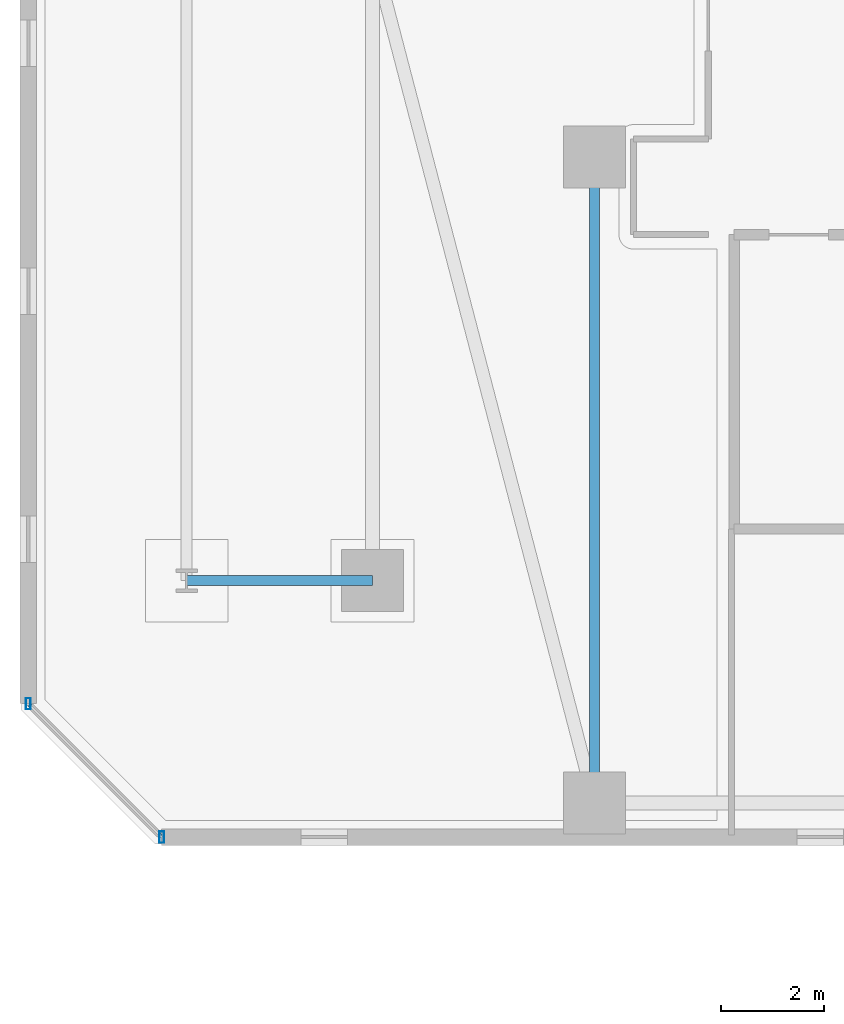
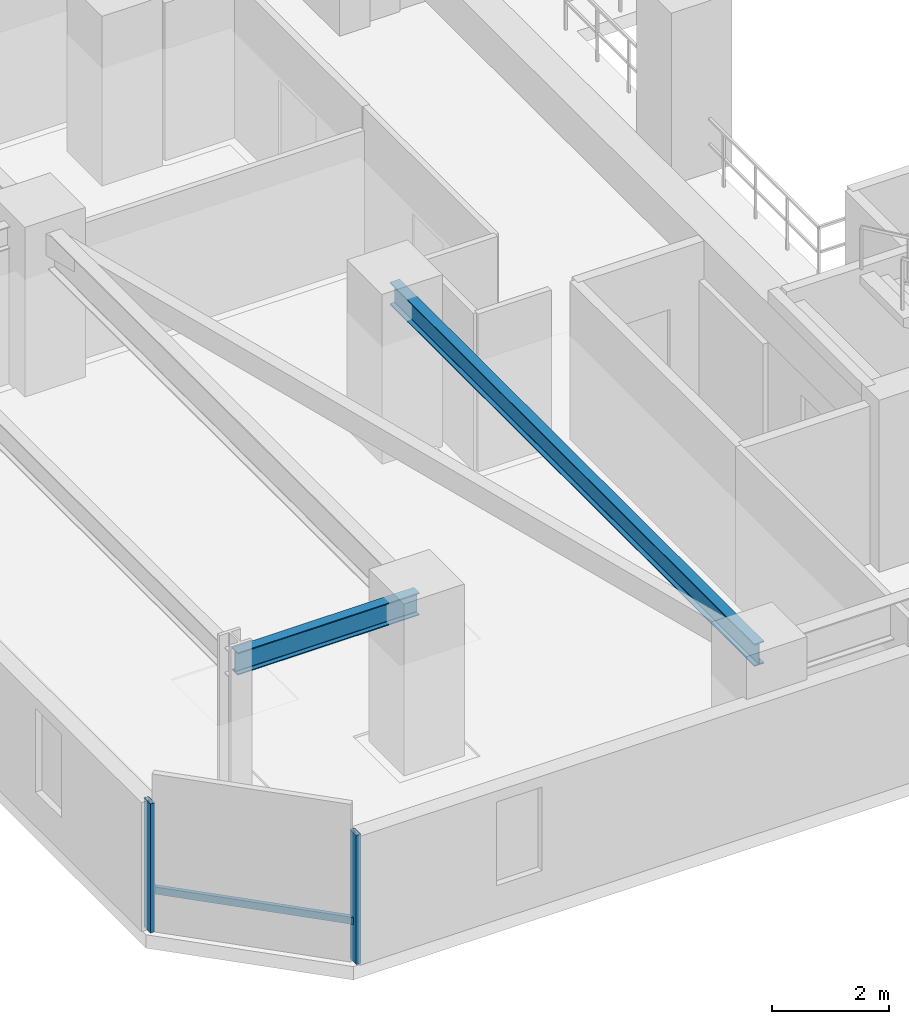
# One storey, part 3 of 33: 3 members, 2 beams, 1 element without a shape of its own.
"""IFC4 building model written with IfcOpenShell, lengths in metres."""

from ifc_helpers import new_model, si_unit, direction, frame, origin, origin_2d, place, context, subcontext, project, spatial, hollow_rectangle, i_section, extrude, material, material_profile, profile_set, type_object, element, aggregate, save


model = new_model("IFC4")

# Units and contexts
model_context = context("Model", 3, precision=1e-05, world=origin(), true_north=direction((0.0, 1.0)))
body_context = subcontext(model_context, "Body", "Model", "MODEL_VIEW")
ifc_project = project(units=[si_unit("LENGTHUNIT", "METRE"), si_unit("AREAUNIT", "SQUARE_METRE"), si_unit("VOLUMEUNIT", "CUBIC_METRE"), si_unit("PLANEANGLEUNIT", "RADIAN"), si_unit("MASSUNIT", "GRAM", prefix="KILO")], contexts=[model_context])

# Site, building, storey
site_placement = place(None, origin())
site = spatial("IfcSite", under=ifc_project, at=site_placement, CompositionType="ELEMENT")
building_placement = place(site_placement, origin())
building = spatial("IfcBuilding", under=site, at=building_placement, Name="Thornwick Lancets Civic Towers", CompositionType="ELEMENT")
storey_placement = place(building_placement, frame((0.0, 0.0, 98.10009765625)))
storey = spatial("IfcBuildingStorey", under=building, at=storey_placement, Name="L25", CompositionType="ELEMENT", Elevation=98.10009765625)

# Beams
ifc_material_1 = material(Name="Steel S355JR", Category="steel")
ifc_material_profile_1 = material_profile(ifc_material_1, i_section(OverallWidth=0.19287109375, OverallDepth=0.46728515625, WebThickness=0.011474609375, FlangeThickness=0.01953125, FilletRadius=0.01025390625, at=origin_2d()), Name="UKB 457x191x98")
ifc_profile_set_1 = profile_set([ifc_material_profile_1], Name="Steel S355JR")
beam_type = type_object("IfcBeamType", Name="BM_JOIST_457_98", PredefinedType="JOIST", material=ifc_profile_set_1)
beam_1_placement = place(storey_placement, frame((12.5, 22.199951171875, 3.086181640625), z_axis=(0.0, -1.0, 0.0), x_axis=(1.0, 0.0, 0.0)))
element("IfcBeam", 1, at=beam_1_placement, inside=storey, type_object=beam_type, Name="BM-RADIN-L25-A01", PredefinedType="JOIST", context=body_context, shape_type="SweptSolid", body=[
    extrude(i_section(OverallWidth=0.19287109375, OverallDepth=0.46728515625, WebThickness=0.011474609375, FlangeThickness=0.01953125, FilletRadius=0.01025390625, at=origin_2d()), origin(), (0.0, 0.0, 1.0), 12.5),
])
beam_2_placement = place(storey_placement, frame((8.199951171875, 14.0, 3.086181640625), z_axis=(-1.0, 0.0, 0.0), x_axis=(0.0, -1.0, 0.0)))
element("IfcBeam", 2, at=beam_2_placement, inside=storey, type_object=beam_type, Name="BM-RAD-L25-A10", PredefinedType="JOIST", context=body_context, shape_type="SweptSolid", body=[
    extrude(i_section(OverallWidth=0.19287109375, OverallDepth=0.46728515625, WebThickness=0.011474609375, FlangeThickness=0.01953125, FilletRadius=0.01025390625, at=origin_2d()), origin(), (0.0, 0.0, 1.0), 3.599853515625),
])

# Curtain wall, members
ifc_material_2 = material(Name="Low-zone chamfered-corner unitised glass curtain wall", Category="glass")
curtain_wall_type = type_object("IfcCurtainWallType", Name="CW_SYS_03", PredefinedType="NOTDEFINED", material=ifc_material_2)
curtain_wall_placement = place(storey_placement, origin())
curtain_wall = element("IfcCurtainWall", 3, at=curtain_wall_placement, inside=storey, type_object=curtain_wall_type, Name="L25 Curtain Wall CW-L25-A-E7", PredefinedType="NOTDEFINED")
ifc_material_3 = material(Name="Thermally broken bronze aluminium S355", Category="steel")
ifc_material_profile_2 = material_profile(ifc_material_3, hollow_rectangle(XDim=0.090087890625, YDim=0.219970703125, WallThickness=0.00634765625, at=origin_2d()), Name="RHS 220x90x6.3")
ifc_profile_set_2 = profile_set([ifc_material_profile_2], Name="Thermally broken bronze aluminium S355")
member_type_1 = type_object("IfcMemberType", Name="CW_MUL_220", PredefinedType="MULLION", material=ifc_profile_set_2)
member_1_placement = place(storey_placement, frame((1.535400390625, 11.61865234375, 0.0), z_axis=(0.0, 0.0, 1.0), x_axis=(1.0, 0.0, 0.0)))
member_1 = element("IfcMember", 4, at=member_1_placement, type_object=member_type_1, Name="CW-L25-A-E7 Mullion 0", PredefinedType="MULLION", context=body_context, shape_type="SweptSolid", body=[
    extrude(hollow_rectangle(XDim=0.090087890625, YDim=0.219970703125, WallThickness=0.00634765625, at=origin_2d()), origin(), (0.0, 0.0, 1.0), 2.699951171875),
])
member_2_placement = place(storey_placement, frame((4.11865234375, 9.035400390625, 0.0), z_axis=(0.0, 0.0, 1.0), x_axis=(1.0, 0.0, 0.0)))
member_2 = element("IfcMember", 5, at=member_2_placement, type_object=member_type_1, Name="CW-L25-A-E7 Mullion 1", PredefinedType="MULLION", context=body_context, shape_type="SweptSolid", body=[
    extrude(hollow_rectangle(XDim=0.090087890625, YDim=0.219970703125, WallThickness=0.00634765625, at=origin_2d()), origin(), (0.0, 0.0, 1.0), 2.699951171875),
])
ifc_material_profile_3 = material_profile(ifc_material_3, hollow_rectangle(XDim=0.074951171875, YDim=0.14990234375, WallThickness=0.0048828125, at=origin_2d()), Name="RHS 150x75x5")
ifc_profile_set_3 = profile_set([ifc_material_profile_3], Name="Thermally broken bronze aluminium S355")
member_type_2 = type_object("IfcMemberType", Name="CW_TRN_150", PredefinedType="USERDEFINED", material=ifc_profile_set_3)
member_3_placement = place(storey_placement, frame((1.54931640625, 11.6044921875, 0.849853515625), z_axis=(0.707106781187, -0.707106781187, 0.0), x_axis=(0.707106781187, 0.707106781187, 0.0)))
member_3 = element("IfcMember", 6, at=member_3_placement, type_object=member_type_2, Name="CW-L25-A-E7 Transom 0", ObjectType="TRANSOM", PredefinedType="USERDEFINED", context=body_context, shape_type="SweptSolid", body=[
    extrude(hollow_rectangle(XDim=0.074951171875, YDim=0.14990234375, WallThickness=0.0048828125, at=origin_2d()), origin(), (0.0, 0.0, 1.0), 3.613525390625),
])
aggregate(curtain_wall, [member_1, member_2, member_3])

save(model, "model.ifc")
